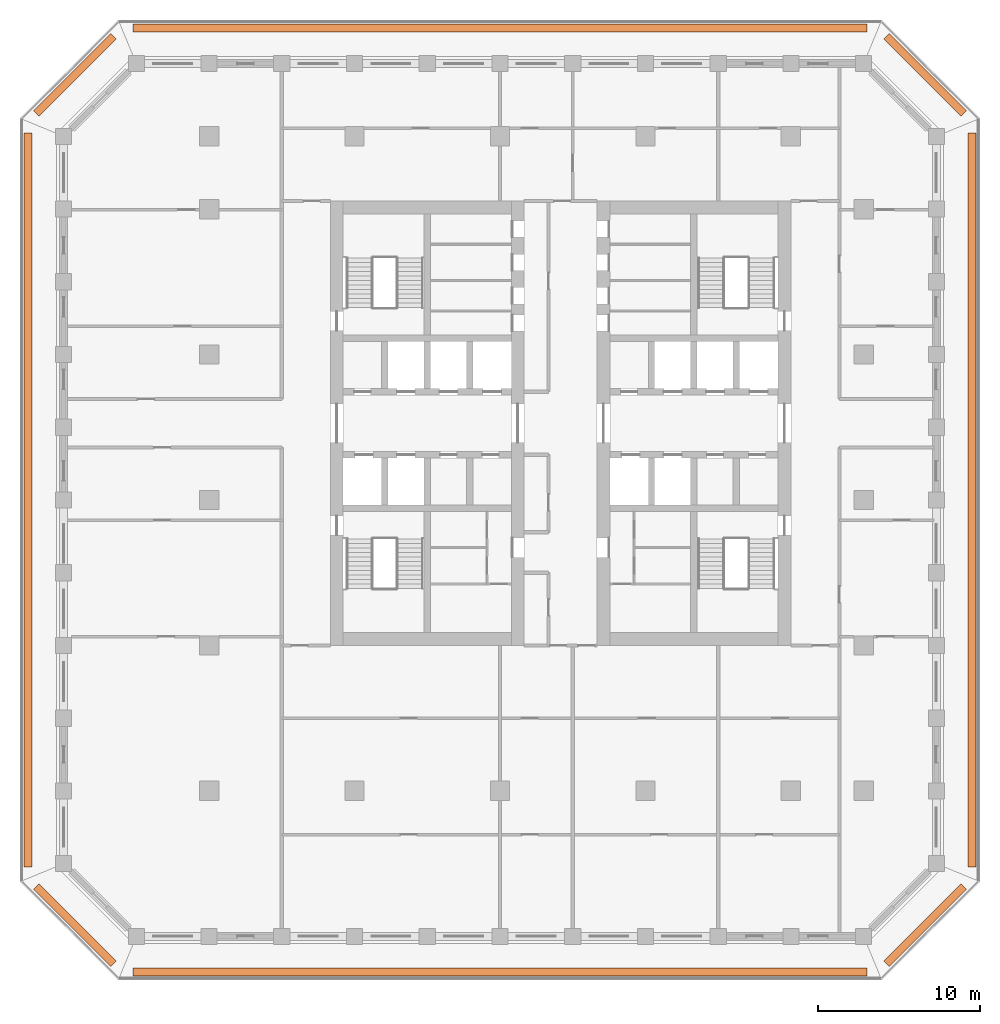
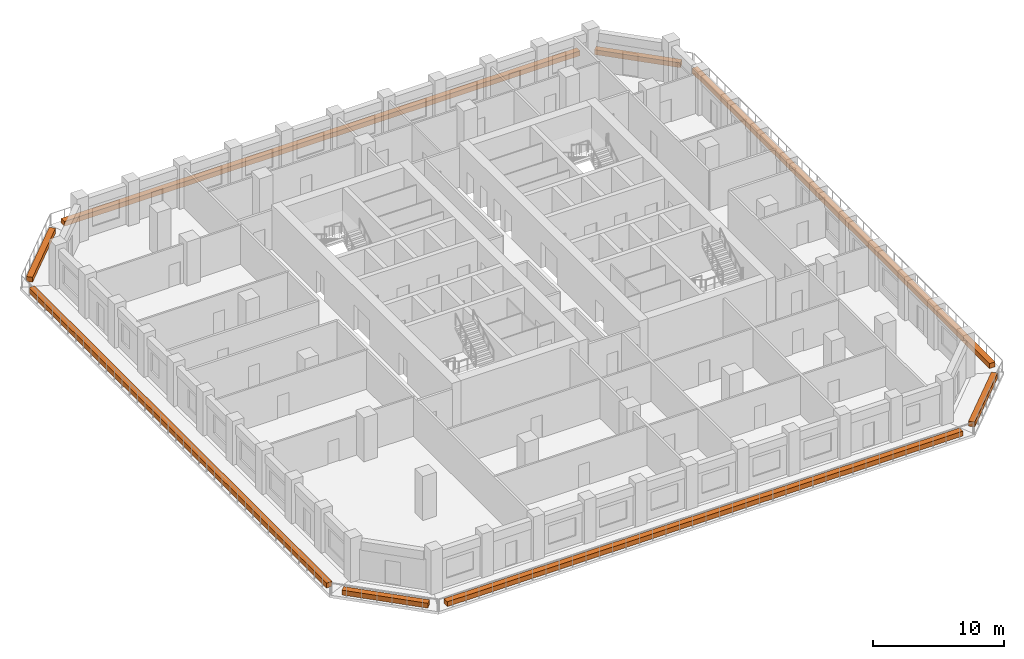
# One storey, part 16 of 16: 8 proxies.
"""IFC4 building model written with IfcOpenShell, lengths in metres."""

from ifc_helpers import new_model, si_unit, direction, frame, origin, origin_2d, place, context, subcontext, project, spatial, rectangle, extrude, material, type_object, element, save


model = new_model("IFC4")

# Units and contexts
model_context = context("Model", 3, precision=1e-05, world=origin(), true_north=direction((0.0, 1.0)))
body_context = subcontext(model_context, "Body", "Model", "MODEL_VIEW")
ifc_project = project(units=[si_unit("LENGTHUNIT", "METRE"), si_unit("AREAUNIT", "SQUARE_METRE"), si_unit("VOLUMEUNIT", "CUBIC_METRE"), si_unit("PLANEANGLEUNIT", "RADIAN"), si_unit("MASSUNIT", "GRAM", prefix="KILO")], contexts=[model_context])

# Site, building, storey
site_placement = place(None, origin())
site = spatial("IfcSite", under=ifc_project, at=site_placement, CompositionType="ELEMENT")
building_placement = place(site_placement, origin())
building = spatial("IfcBuilding", under=site, at=building_placement, Name="Corbel Stack Research Tower", CompositionType="ELEMENT")
storey_placement = place(building_placement, frame((0.0, 0.0, 160.89990234375)))
storey = spatial("IfcBuildingStorey", under=building, at=storey_placement, Name="L36", CompositionType="ELEMENT", Elevation=160.89990234375)

# Proxies
ifc_material = material(Name="Concrete C45/55", Category="concrete")
building_element_proxy_type = type_object("IfcBuildingElementProxyType", Name="Planter box", PredefinedType="USERDEFINED", material=ifc_material)
proxy_1_placement = place(storey_placement, frame((0.0, -29.199951171875, 0.0), z_axis=(0.0, 0.0, 1.0), x_axis=(1.0, 0.0, 0.0)))
element("IfcBuildingElementProxy", 1, at=proxy_1_placement, inside=storey, type_object=building_element_proxy_type, Name="Planter L36 S", ObjectType="PLANTER", PredefinedType="USERDEFINED", context=body_context, shape_type="SweptSolid", body=[
    extrude(rectangle(XDim=45.41064453125, YDim=0.5, at=origin_2d()), origin(), (0.0, 0.0, 1.0), 0.449951171875),
])
proxy_2_placement = place(storey_placement, frame((26.3056640625, -26.3056640625, 0.0), z_axis=(0.0, 0.0, 1.0), x_axis=(0.707106781187, 0.707106781187, 0.0)))
element("IfcBuildingElementProxy", 2, at=proxy_2_placement, inside=storey, type_object=building_element_proxy_type, Name="Planter L36 SE", ObjectType="PLANTER", PredefinedType="USERDEFINED", context=body_context, shape_type="SweptSolid", body=[
    extrude(rectangle(XDim=6.774658203125, YDim=0.5, at=origin_2d()), origin(), (0.0, 0.0, 1.0), 0.449951171875),
])
proxy_3_placement = place(storey_placement, frame((29.199951171875, 0.0, 0.0), z_axis=(0.0, 0.0, 1.0), x_axis=(0.0, 1.0, 0.0)))
element("IfcBuildingElementProxy", 3, at=proxy_3_placement, inside=storey, type_object=building_element_proxy_type, Name="Planter L36 E", ObjectType="PLANTER", PredefinedType="USERDEFINED", context=body_context, shape_type="SweptSolid", body=[
    extrude(rectangle(XDim=45.41064453125, YDim=0.5, at=origin_2d()), origin(), (0.0, 0.0, 1.0), 0.449951171875),
])
proxy_4_placement = place(storey_placement, frame((26.3056640625, 26.3056640625, 0.0), z_axis=(0.0, 0.0, 1.0), x_axis=(-0.707106781187, 0.707106781187, 0.0)))
element("IfcBuildingElementProxy", 4, at=proxy_4_placement, inside=storey, type_object=building_element_proxy_type, Name="Planter L36 NE", ObjectType="PLANTER", PredefinedType="USERDEFINED", context=body_context, shape_type="SweptSolid", body=[
    extrude(rectangle(XDim=6.774658203125, YDim=0.5, at=origin_2d()), origin(), (0.0, 0.0, 1.0), 0.449951171875),
])
proxy_5_placement = place(storey_placement, frame((0.0, 29.199951171875, 0.0), z_axis=(0.0, 0.0, 1.0), x_axis=(-1.0, 0.0, 0.0)))
element("IfcBuildingElementProxy", 5, at=proxy_5_placement, inside=storey, type_object=building_element_proxy_type, Name="Planter L36 N", ObjectType="PLANTER", PredefinedType="USERDEFINED", context=body_context, shape_type="SweptSolid", body=[
    extrude(rectangle(XDim=45.41064453125, YDim=0.5, at=origin_2d()), origin(), (0.0, 0.0, 1.0), 0.449951171875),
])
proxy_6_placement = place(storey_placement, frame((-26.3056640625, 26.3056640625, 0.0), z_axis=(0.0, 0.0, 1.0), x_axis=(-0.707106781187, -0.707106781187, 0.0)))
element("IfcBuildingElementProxy", 6, at=proxy_6_placement, inside=storey, type_object=building_element_proxy_type, Name="Planter L36 NW", ObjectType="PLANTER", PredefinedType="USERDEFINED", context=body_context, shape_type="SweptSolid", body=[
    extrude(rectangle(XDim=6.774658203125, YDim=0.5, at=origin_2d()), origin(), (0.0, 0.0, 1.0), 0.449951171875),
])
proxy_7_placement = place(storey_placement, frame((-29.199951171875, 0.0, 0.0), z_axis=(0.0, 0.0, 1.0), x_axis=(0.0, -1.0, 0.0)))
element("IfcBuildingElementProxy", 7, at=proxy_7_placement, inside=storey, type_object=building_element_proxy_type, Name="Planter L36 W", ObjectType="PLANTER", PredefinedType="USERDEFINED", context=body_context, shape_type="SweptSolid", body=[
    extrude(rectangle(XDim=45.41064453125, YDim=0.5, at=origin_2d()), origin(), (0.0, 0.0, 1.0), 0.449951171875),
])
proxy_8_placement = place(storey_placement, frame((-26.3056640625, -26.3056640625, 0.0), z_axis=(0.0, 0.0, 1.0), x_axis=(0.707106781187, -0.707106781187, 0.0)))
element("IfcBuildingElementProxy", 8, at=proxy_8_placement, inside=storey, type_object=building_element_proxy_type, Name="Planter L36 SW", ObjectType="PLANTER", PredefinedType="USERDEFINED", context=body_context, shape_type="SweptSolid", body=[
    extrude(rectangle(XDim=6.774658203125, YDim=0.5, at=origin_2d()), origin(), (0.0, 0.0, 1.0), 0.449951171875),
])

save(model, "model.ifc")
